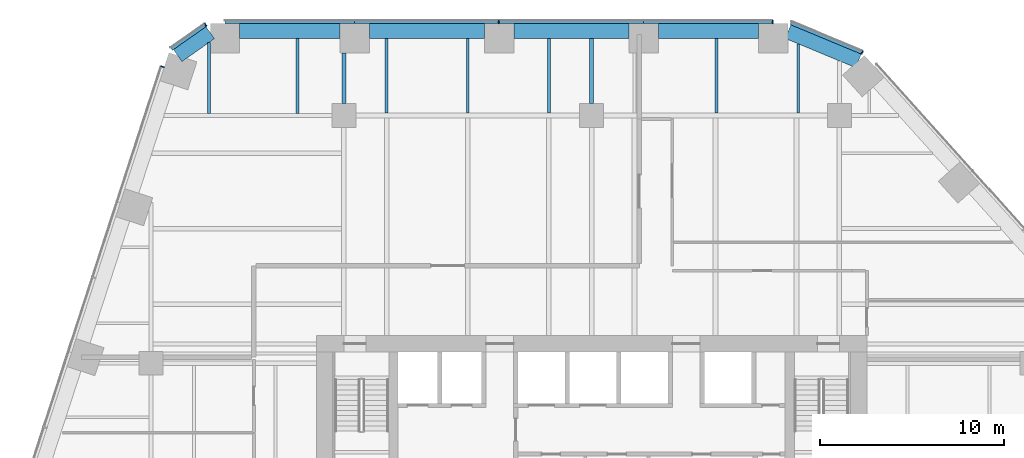
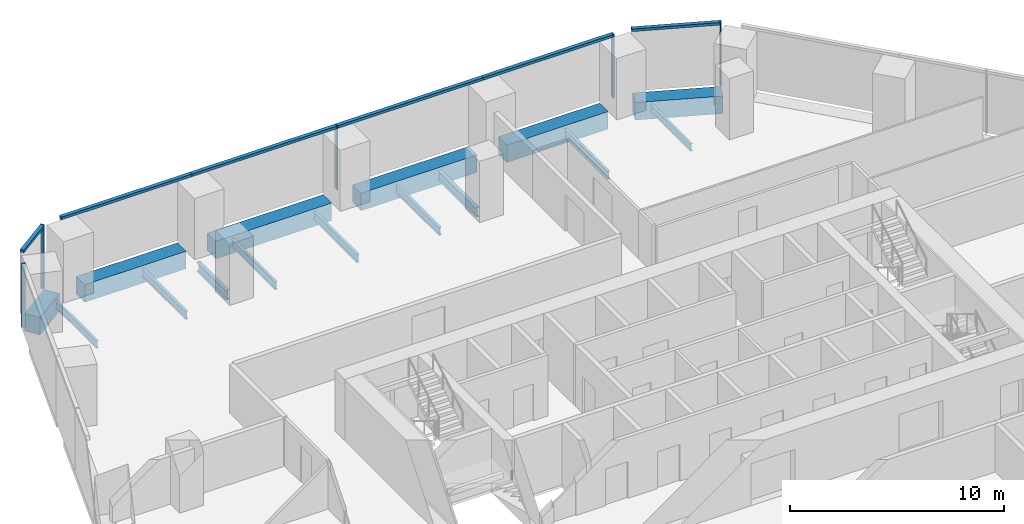
# One storey, part 12 of 19: 15 beams, 11 members, 4 elements without a shape of their own.
"""IFC4 building model written with IfcOpenShell, lengths in metres."""

from ifc_helpers import new_model, si_unit, direction, frame, origin, origin_2d, place, context, subcontext, project, spatial, rectangle, i_section, extrude, material, layer, layer_set, material_profile, profile_set, type_object, element, aggregate, save


model = new_model("IFC4")

# Units and contexts
model_context = context("Model", 3, precision=1e-05, world=origin(), true_north=direction((0.0, 1.0)))
body_context = subcontext(model_context, "Body", "Model", "MODEL_VIEW")
ifc_project = project(units=[si_unit("LENGTHUNIT", "METRE"), si_unit("AREAUNIT", "SQUARE_METRE"), si_unit("VOLUMEUNIT", "CUBIC_METRE"), si_unit("PLANEANGLEUNIT", "RADIAN"), si_unit("MASSUNIT", "GRAM", prefix="KILO")], contexts=[model_context])

# Site, building, storey
site_placement = place(None, origin())
site = spatial("IfcSite", under=ifc_project, at=site_placement, CompositionType="ELEMENT")
building_placement = place(site_placement, origin())
building = spatial("IfcBuilding", under=site, at=building_placement, Name="Isthmus Gate Tower", CompositionType="ELEMENT")
storey_placement = place(building_placement, frame((0.0, 0.0, 87.949951171875)))
storey = spatial("IfcBuildingStorey", under=building, at=storey_placement, Name="L20", CompositionType="ELEMENT", Elevation=87.949951171875)

# Curtain wall, members
ifc_material_1 = material(Name="Aluminium, pale champagne anodised", Category="aluminium")
ifc_layer = layer(ifc_material_1, 0.199951171875)
ifc_layer_set = layer_set([ifc_layer], Name="CW-1 UNITISED CURTAIN WALL 200 DEEP")
curtain_wall_type = type_object("IfcCurtainWallType", Name="CW-1 UNITISED CURTAIN WALL 200 DEEP", PredefinedType="NOTDEFINED", material=ifc_layer_set)
curtain_wall_1_placement = place(storey_placement, origin())
curtain_wall_1 = element("IfcCurtainWall", 1, at=curtain_wall_1_placement, inside=storey, type_object=curtain_wall_type, Name="CW-1 N L20", PredefinedType="NOTDEFINED")
ifc_material_2 = material(Name="Aluminium, pale champagne anodised", Category="aluminium")
ifc_material_profile_1 = material_profile(ifc_material_2, rectangle(XDim=0.06005859375, YDim=0.199951171875, at=origin_2d()), Name="60x200")
ifc_profile_set_1 = profile_set([ifc_material_profile_1], Name="Aluminium, pale champagne anodised")
member_type_1 = type_object("IfcMemberType", Name="CW-1 MULLION 60 X 200", PredefinedType="MULLION", material=ifc_profile_set_1)
member_1_placement = place(storey_placement, frame((9.871826171875, 32.10009765625, 0.0), z_axis=(0.0, 0.0, 1.0), x_axis=(-1.0, 0.0, 0.0)))
member_1 = element("IfcMember", 2, at=member_1_placement, type_object=member_type_1, Name="CW-1 mullion", PredefinedType="MULLION", context=body_context, shape_type="SweptSolid", body=[
    extrude(rectangle(XDim=0.06005859375, YDim=0.199951171875, at=origin_2d()), origin(), (0.0, 0.0, 1.0), 3.650146484375),
])
member_2_placement = place(storey_placement, frame((-5.067138671875, 32.10009765625, 0.0), z_axis=(0.0, 0.0, 1.0), x_axis=(-1.0, 0.0, 0.0)))
member_2 = element("IfcMember", 3, at=member_2_placement, type_object=member_type_1, Name="CW-1 mullion", PredefinedType="MULLION", context=body_context, shape_type="SweptSolid", body=[
    extrude(rectangle(XDim=0.06005859375, YDim=0.199951171875, at=origin_2d()), origin(), (0.0, 0.0, 1.0), 3.650146484375),
])

# Curtain wall, member
curtain_wall_2_placement = place(storey_placement, origin())
curtain_wall_2 = element("IfcCurtainWall", 4, at=curtain_wall_2_placement, inside=storey, type_object=curtain_wall_type, Name="CW-1 N-NW L20", PredefinedType="NOTDEFINED")
member_3_placement = place(storey_placement, frame((-21.031005859375, 31.943115234375, 0.0), z_axis=(0.0, 0.0, 1.0), x_axis=(-0.81785959165, -0.57541783805, 0.0)))
member_3 = element("IfcMember", 5, at=member_3_placement, type_object=member_type_1, Name="CW-1 mullion", PredefinedType="MULLION", context=body_context, shape_type="SweptSolid", body=[
    extrude(rectangle(XDim=0.06005859375, YDim=0.199951171875, at=origin_2d()), origin(), (0.0, 0.0, 1.0), 3.650146484375),
])

curtain_wall_3_placement = place(storey_placement, origin())
curtain_wall_3 = element("IfcCurtainWall", 6, at=curtain_wall_3_placement, inside=storey, type_object=curtain_wall_type, Name="CW-1 NW L20", PredefinedType="NOTDEFINED")
member_4_placement = place(storey_placement, frame((-23.380615234375, 29.656494140625, 0.0), z_axis=(0.0, 0.0, 1.0), x_axis=(-0.309016994375, -0.951056516295, 0.0)))
member_4 = element("IfcMember", 7, at=member_4_placement, type_object=member_type_1, Name="CW-1 mullion", PredefinedType="MULLION", context=body_context, shape_type="SweptSolid", body=[
    extrude(rectangle(XDim=0.06005859375, YDim=0.199951171875, at=origin_2d()), origin(), (0.0, 0.0, 1.0), 3.650146484375),
])
aggregate(curtain_wall_3, [member_4])

curtain_wall_4_placement = place(storey_placement, origin())
curtain_wall_4 = element("IfcCurtainWall", 8, at=curtain_wall_4_placement, inside=storey, type_object=curtain_wall_type, Name="CW-1 NE-N L20", PredefinedType="NOTDEFINED")
member_5_placement = place(storey_placement, frame((14.744140625, 30.427490234375, 0.0), z_axis=(0.0, 0.0, 1.0), x_axis=(-0.923353128387, 0.383951820282, 0.0)))
member_5 = element("IfcMember", 9, at=member_5_placement, type_object=member_type_1, Name="CW-1 mullion", PredefinedType="MULLION", context=body_context, shape_type="SweptSolid", body=[
    extrude(rectangle(XDim=0.06005859375, YDim=0.199951171875, at=origin_2d()), origin(), (0.0, 0.0, 1.0), 3.650146484375),
])

# Member
ifc_material_3 = material(Name="Aluminium, pale champagne anodised", Category="aluminium")
ifc_material_profile_2 = material_profile(ifc_material_3, rectangle(XDim=0.199951171875, YDim=0.14990234375, at=origin_2d()), Name="200x150")
ifc_profile_set_2 = profile_set([ifc_material_profile_2], Name="Aluminium, pale champagne anodised")
member_type_2 = type_object("IfcMemberType", Name="CW-1 TRANSOM 200 X 150", PredefinedType="USERDEFINED", material=ifc_profile_set_2)
member_6_placement = place(storey_placement, frame((9.841796875, 32.10009765625, 3.574951171875), z_axis=(-1.0, 0.0, 0.0), x_axis=(0.0, -1.0, 0.0)))
member_6 = element("IfcMember", 10, at=member_6_placement, type_object=member_type_2, Name="CW-1 transom", ObjectType="TRANSOM", PredefinedType="USERDEFINED", context=body_context, shape_type="SweptSolid", body=[
    extrude(rectangle(XDim=0.199951171875, YDim=0.14990234375, at=origin_2d()), origin(), (0.0, 0.0, 1.0), 7.009521484375),
])

member_7_placement = place(storey_placement, frame((2.832275390625, 32.10009765625, 3.574951171875), z_axis=(-1.0, 0.0, 0.0), x_axis=(0.0, -1.0, 0.0)))
member_7 = element("IfcMember", 11, at=member_7_placement, type_object=member_type_2, Name="CW-1 transom", ObjectType="TRANSOM", PredefinedType="USERDEFINED", context=body_context, shape_type="SweptSolid", body=[
    extrude(rectangle(XDim=0.199951171875, YDim=0.14990234375, at=origin_2d()), origin(), (0.0, 0.0, 1.0), 7.869384765625),
])

member_8_placement = place(storey_placement, frame((-5.09716796875, 32.10009765625, 3.574951171875), z_axis=(-1.0, 0.0, 0.0), x_axis=(0.0, -1.0, 0.0)))
member_8 = element("IfcMember", 12, at=member_8_placement, type_object=member_type_2, Name="CW-1 transom", ObjectType="TRANSOM", PredefinedType="USERDEFINED", context=body_context, shape_type="SweptSolid", body=[
    extrude(rectangle(XDim=0.199951171875, YDim=0.14990234375, at=origin_2d()), origin(), (0.0, 0.0, 1.0), 7.8095703125),
])

member_9_placement = place(storey_placement, frame((-12.90673828125, 32.10009765625, 3.574951171875), z_axis=(-1.0, 0.0, 0.0), x_axis=(0.0, -1.0, 0.0)))
member_9 = element("IfcMember", 13, at=member_9_placement, type_object=member_type_2, Name="CW-1 transom", ObjectType="TRANSOM", PredefinedType="USERDEFINED", context=body_context, shape_type="SweptSolid", body=[
    extrude(rectangle(XDim=0.199951171875, YDim=0.14990234375, at=origin_2d()), origin(), (0.0, 0.0, 1.0), 7.069580078125),
])

aggregate(curtain_wall_1, [member_1, member_6, member_7, member_2, member_8, member_9])

member_10_placement = place(storey_placement, frame((-21.055419921875, 31.92578125, 3.574951171875), z_axis=(-0.817868595604, -0.575405040233, 0.0), x_axis=(0.575405040233, -0.817868595604, 0.0)))
member_10 = element("IfcMember", 14, at=member_10_placement, type_object=member_type_2, Name="CW-1 transom", ObjectType="TRANSOM", PredefinedType="USERDEFINED", context=body_context, shape_type="SweptSolid", body=[
    extrude(rectangle(XDim=0.199951171875, YDim=0.14990234375, at=origin_2d()), origin(), (0.0, 0.0, 1.0), 2.258544921875),
])

aggregate(curtain_wall_2, [member_3, member_10])

member_11_placement = place(storey_placement, frame((14.716552734375, 30.43896484375, 3.574951171875), z_axis=(-0.923358236369, 0.383939536033, 0.0), x_axis=(-0.383939536033, -0.923358236369, 0.0)))
member_11 = element("IfcMember", 15, at=member_11_placement, type_object=member_type_2, Name="CW-1 transom", ObjectType="TRANSOM", PredefinedType="USERDEFINED", context=body_context, shape_type="SweptSolid", body=[
    extrude(rectangle(XDim=0.199951171875, YDim=0.14990234375, at=origin_2d()), origin(), (0.0, 0.0, 1.0), 4.181640625),
])

aggregate(curtain_wall_4, [member_5, member_11])

# Beams
ifc_material_4 = material(Name="Concrete f'c 70 MPa", Category="concrete")
ifc_material_profile_3 = material_profile(ifc_material_4, rectangle(XDim=0.800048828125, YDim=1.0, at=origin_2d()), Name="RC 800X1000")
ifc_profile_set_3 = profile_set([ifc_material_profile_3], Name="Concrete f'c 70 MPa")
beam_type_1 = type_object("IfcBeamType", Name="RC SPANDREL 800 X 1000", PredefinedType="SPANDREL", material=ifc_profile_set_3)
beam_1_placement = place(storey_placement, frame((10.701904296875, 31.56689453125, -0.5), z_axis=(0.923334166719, -0.383997417399, 0.0), x_axis=(0.383997417399, 0.923334166719, 0.0)))
element("IfcBeam", 16, at=beam_1_placement, inside=storey, type_object=beam_type_1, Name="str-spandrel-L20-00", PredefinedType="SPANDREL", context=body_context, shape_type="SweptSolid", body=[
    extrude(rectangle(XDim=0.800048828125, YDim=1.0, at=origin_2d()), origin(), (0.0, 0.0, 1.0), 4.15234375),
])
beam_2_placement = place(storey_placement, frame((-22.553466796875, 30.260498046875, -0.5), z_axis=(0.817857331203, 0.575421050882, 0.0), x_axis=(-0.575421050882, 0.817857331203, 0.0)))
element("IfcBeam", 17, at=beam_2_placement, inside=storey, type_object=beam_type_1, Name="str-spandrel-L20-22", PredefinedType="SPANDREL", context=body_context, shape_type="SweptSolid", body=[
    extrude(rectangle(XDim=0.800048828125, YDim=1.0, at=origin_2d()), origin(), (0.0, 0.0, 1.0), 2.173095703125),
])
beam_3_placement = place(storey_placement, frame((-19.17626953125, 31.60009765625, -0.5), z_axis=(1.0, 0.0, 0.0), x_axis=(0.0, 1.0, 0.0)))
element("IfcBeam", 18, at=beam_3_placement, inside=storey, type_object=beam_type_1, Name="str-spandrel-L20-23", PredefinedType="SPANDREL", context=body_context, shape_type="SweptSolid", body=[
    extrude(rectangle(XDim=0.800048828125, YDim=1.0, at=origin_2d()), origin(), (0.0, 0.0, 1.0), 5.469482421875),
])
for number, where, z_axis, x_axis, name in (
    (19, (-12.106689453125, 31.60009765625, -0.5), (1.0, 0.0, 0.0), (0.0, 1.0, 0.0), "str-spandrel-L20-24"),
    (20, (-4.2373046875, 31.60009765625, -0.5), (1.0, 0.0, 0.0), (0.0, 1.0, 0.0), "str-spandrel-L20-25"),
):
    element("IfcBeam", number, at=place(storey_placement, frame(where, z_axis=z_axis, x_axis=x_axis)), inside=storey, type_object=beam_type_1, Name=name, PredefinedType="SPANDREL", context=body_context, shape_type="SweptSolid", body=[
        extrude(rectangle(XDim=0.800048828125, YDim=1.0, at=origin_2d()), origin(), (0.0, 0.0, 1.0), 6.26953125),
    ])
beam_4_placement = place(storey_placement, frame((3.63232421875, 31.60009765625, -0.5), z_axis=(1.0, 0.0, 0.0), x_axis=(0.0, 1.0, 0.0)))
element("IfcBeam", 21, at=beam_4_placement, inside=storey, type_object=beam_type_1, Name="str-spandrel-L20-26", PredefinedType="SPANDREL", context=body_context, shape_type="SweptSolid", body=[
    extrude(rectangle(XDim=0.800048828125, YDim=1.0, at=origin_2d()), origin(), (0.0, 0.0, 1.0), 5.469482421875),
])
ifc_material_5 = material(Name="Structural steel ASTM A992 Gr 50", Category="steel")
ifc_material_profile_4 = material_profile(ifc_material_5, i_section(OverallWidth=0.1396484375, OverallDepth=0.4033203125, WebThickness=0.00634765625, FlangeThickness=0.010986328125, at=origin_2d()), Name="W16X31")
ifc_profile_set_4 = profile_set([ifc_material_profile_4], Name="Structural steel ASTM A992 Gr 50")
beam_type_2 = type_object("IfcBeamType", Name="STEEL FLOOR BEAM W16X31", PredefinedType="JOIST", material=ifc_profile_set_4)
beam_5_placement = place(storey_placement, frame((-20.846435546875, 27.1142578125, -0.3515625), z_axis=(0.0, 1.0, 0.0), x_axis=(-1.0, 0.0, 0.0)))
element("IfcBeam", 22, at=beam_5_placement, inside=storey, type_object=beam_type_2, Name="str-beam-L20-09-00", PredefinedType="JOIST", context=body_context, shape_type="SweptSolid", body=[
    extrude(i_section(OverallWidth=0.1396484375, OverallDepth=0.4033203125, WebThickness=0.00634765625, FlangeThickness=0.010986328125, at=origin_2d()), origin(), (0.0, 0.0, 1.0), 3.858154296875),
])
beam_6_placement = place(storey_placement, frame((11.267578125, 27.1318359375, -0.3515625), z_axis=(0.0, 1.0, 0.0), x_axis=(-1.0, 0.0, 0.0)))
element("IfcBeam", 23, at=beam_6_placement, inside=storey, type_object=beam_type_2, Name="str-beam-L20-20-02", PredefinedType="JOIST", context=body_context, shape_type="SweptSolid", body=[
    extrude(i_section(OverallWidth=0.1396484375, OverallDepth=0.4033203125, WebThickness=0.00634765625, FlangeThickness=0.010986328125, at=origin_2d()), origin(), (0.0, 0.0, 1.0), 3.7666015625),
])
ifc_material_6 = material(Name="Structural steel ASTM A992 Gr 50", Category="steel")
ifc_material_profile_5 = material_profile(ifc_material_6, i_section(OverallWidth=0.15234375, OverallDepth=0.45068359375, WebThickness=0.0078125, FlangeThickness=0.010986328125, at=origin_2d()), Name="W18X35")
ifc_profile_set_5 = profile_set([ifc_material_profile_5], Name="Structural steel ASTM A992 Gr 50")
beam_type_3 = type_object("IfcBeamType", Name="STEEL FLOOR BEAM W18X35", PredefinedType="JOIST", material=ifc_profile_set_5)
beam_7_placement = place(storey_placement, frame((-16.0185546875, 27.1142578125, -0.375244140625), z_axis=(0.0, 1.0, 0.0), x_axis=(-1.0, 0.0, 0.0)))
element("IfcBeam", 24, at=beam_7_placement, inside=storey, type_object=beam_type_3, Name="str-beam-L20-09-01", PredefinedType="JOIST", context=body_context, shape_type="SweptSolid", body=[
    extrude(i_section(OverallWidth=0.15234375, OverallDepth=0.45068359375, WebThickness=0.0078125, FlangeThickness=0.010986328125, at=origin_2d()), origin(), (0.0, 0.0, 1.0), 4.085693359375),
])
for number, where, z_axis, x_axis, name in (
    (25, (-11.18017578125, 27.1318359375, -0.375244140625), (0.0, 1.0, 0.0), (-1.0, 0.0, 0.0), "str-beam-L20-15-00"),
    (26, (-6.75, 27.1318359375, -0.375244140625), (0.0, 1.0, 0.0), (-1.0, 0.0, 0.0), "str-beam-L20-15-01"),
    (27, (-2.31982421875, 27.1318359375, -0.375244140625), (0.0, 1.0, 0.0), (-1.0, 0.0, 0.0), "str-beam-L20-15-02"),
    (28, (6.802490234375, 27.1318359375, -0.375244140625), (0.0, 1.0, 0.0), (-1.0, 0.0, 0.0), "str-beam-L20-20-01"),
):
    element("IfcBeam", number, at=place(storey_placement, frame(where, z_axis=z_axis, x_axis=x_axis)), inside=storey, type_object=beam_type_3, Name=name, PredefinedType="JOIST", context=body_context, shape_type="SweptSolid", body=[
        extrude(i_section(OverallWidth=0.15234375, OverallDepth=0.45068359375, WebThickness=0.0078125, FlangeThickness=0.010986328125, at=origin_2d()), origin(), (0.0, 0.0, 1.0), 4.068115234375),
    ])
ifc_material_7 = material(Name="Structural steel ASTM A992 Gr 50", Category="steel")
ifc_material_profile_6 = material_profile(ifc_material_7, i_section(OverallWidth=0.20947265625, OverallDepth=0.533447265625, WebThickness=0.009521484375, FlangeThickness=0.015869140625, at=origin_2d()), Name="W21X62")
ifc_profile_set_6 = profile_set([ifc_material_profile_6], Name="Structural steel ASTM A992 Gr 50")
beam_type_4 = type_object("IfcBeamType", Name="STEEL GIRDER W21X62", PredefinedType="BEAM", material=ifc_profile_set_6)
beam_8_placement = place(storey_placement, frame((-13.5, 27.64990234375, -0.416748046875), z_axis=(0.0, 1.0, 0.0), x_axis=(-1.0, 0.0, 0.0)))
element("IfcBeam", 29, at=beam_8_placement, inside=storey, type_object=beam_type_4, Name="str-girder-L20-28", PredefinedType="BEAM", context=body_context, shape_type="SweptSolid", body=[
    extrude(i_section(OverallWidth=0.20947265625, OverallDepth=0.533447265625, WebThickness=0.009521484375, FlangeThickness=0.015869140625, at=origin_2d()), origin(), (0.0, 0.0, 1.0), 2.75),
])
beam_9_placement = place(storey_placement, frame((0.0, 27.64990234375, -0.416748046875), z_axis=(0.0, 1.0, 0.0), x_axis=(-1.0, 0.0, 0.0)))
element("IfcBeam", 30, at=beam_9_placement, inside=storey, type_object=beam_type_4, Name="str-girder-L20-31", PredefinedType="BEAM", context=body_context, shape_type="SweptSolid", body=[
    extrude(i_section(OverallWidth=0.20947265625, OverallDepth=0.533447265625, WebThickness=0.009521484375, FlangeThickness=0.015869140625, at=origin_2d()), origin(), (0.0, 0.0, 1.0), 3.550048828125),
])

save(model, "model.ifc")
